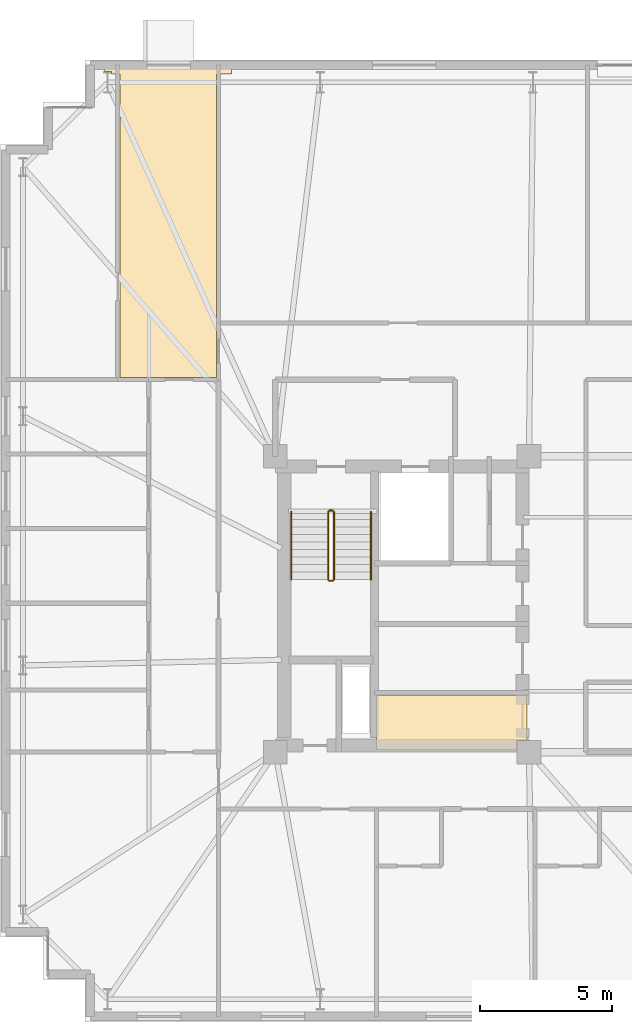
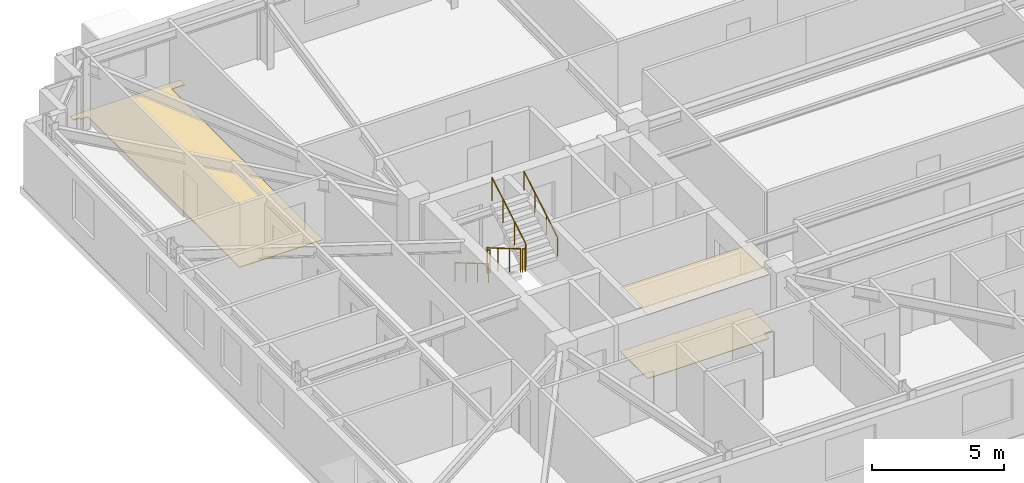
# One storey, part 17 of 18: 6 railings, 3 coverings.
"""IFC4 building model written with IfcOpenShell, lengths in metres."""

from ifc_helpers import new_model, si_unit, direction, frame, origin, origin_2d, place, context, subcontext, project, spatial, polyline, circle, outline, extrude, material, layer, layer_set, type_object, element, save


model = new_model("IFC4")

# Units and contexts
model_context = context("Model", 3, precision=1e-05, world=origin(), true_north=direction((0.0, 1.0)))
body_context = subcontext(model_context, "Body", "Model", "MODEL_VIEW")
ifc_project = project(units=[si_unit("LENGTHUNIT", "METRE"), si_unit("AREAUNIT", "SQUARE_METRE"), si_unit("VOLUMEUNIT", "CUBIC_METRE"), si_unit("PLANEANGLEUNIT", "RADIAN"), si_unit("MASSUNIT", "GRAM", prefix="KILO")], contexts=[model_context])

# Site, building, storey
site_placement = place(None, origin())
site = spatial("IfcSite", under=ifc_project, at=site_placement, CompositionType="ELEMENT")
building_placement = place(site_placement, origin())
building = spatial("IfcBuilding", under=site, at=building_placement, Name="Qobustan Lattice House", CompositionType="ELEMENT")
storey_placement = place(building_placement, frame((0.0, 0.0, 151.10009765625)))
storey = spatial("IfcBuildingStorey", under=building, at=storey_placement, Name="L42", CompositionType="ELEMENT", Elevation=151.10009765625)

# Coverings
ifc_material_1 = material(Name="Perforated gypsum acoustic ceiling", Category="gypsum")
ifc_layer_1 = layer(ifc_material_1, 0.030029296875)
ifc_layer_set_1 = layer_set([ifc_layer_1], Name="Perforated gypsum acoustic ceiling")
covering_type_1 = type_object("IfcCoveringType", Name="COV-ACOUSTIC-CEIL", PredefinedType="CEILING", material=ifc_layer_set_1)
covering_1_placement = place(storey_placement, frame((0.0, 0.0, 2.949951171875)))
element("IfcCovering", 1, at=covering_1_placement, inside=storey, type_object=covering_type_1, Name="L42 Collaborative study lounge acoustic ceiling", PredefinedType="CEILING", context=body_context, shape_type="SweptSolid", body=[
    extrude(outline(polyline([(-9.280029296875, -3.429931640625), (-14.969970703125, -3.429931640625), (-14.969970703125, -5.52001953125), (-9.652099609375, -5.52001953125), (-9.652099609375, -5.14794921875), (-9.280029296875, -5.14794921875), (-9.280029296875, -3.429931640625)])), origin(), (0.0, 0.0, 1.0), 0.030029296875),
])
ifc_material_2 = material(Name="Honed Absheron stone terrazzo flooring", Category="masonry")
ifc_layer_2 = layer(ifc_material_2, 0.02490234375)
ifc_layer_set_2 = layer_set([ifc_layer_2], Name="Honed Absheron stone terrazzo flooring")
covering_type_2 = type_object("IfcCoveringType", Name="COV-TERRAZZO-FLR", PredefinedType="FLOORING", material=ifc_layer_set_2)
covering_2_placement = place(storey_placement, origin())
element("IfcCovering", 2, at=covering_2_placement, inside=storey, type_object=covering_type_2, Name="L42 Collaborative study lounge stone terrazzo flooring", PredefinedType="FLOORING", context=body_context, shape_type="SweptSolid", body=[
    extrude(outline(polyline([(-9.280029296875, -3.429931640625), (-14.969970703125, -3.429931640625), (-14.969970703125, -5.52001953125), (-9.652099609375, -5.52001953125), (-9.652099609375, -5.14794921875), (-9.280029296875, -5.14794921875), (-9.280029296875, -3.429931640625)])), origin(), (0.0, 0.0, 1.0), 0.02490234375),
])
covering_3_placement = place(storey_placement, origin())
element("IfcCovering", 3, at=covering_3_placement, inside=storey, type_object=covering_type_2, Name="L42 Reading seminar room L42WN stone terrazzo flooring", PredefinedType="FLOORING", context=body_context, shape_type="SweptSolid", body=[
    extrude(outline(polyline([(-25.264892578125, 20.429931640625), (-25.264892578125, 20.152099609375), (-24.998046875, 20.152099609375), (-24.998046875, 20.06005859375), (-24.68505859375, 20.06005859375), (-24.68505859375, 8.580078125), (-21.030029296875, 8.580078125), (-21.030029296875, 20.06005859375), (-20.449951171875, 20.06005859375), (-20.449951171875, 20.429931640625), (-25.264892578125, 20.429931640625)])), origin(), (0.0, 0.0, 1.0), 0.02490234375),
])

# Railings
ifc_material_3 = material(Name="Brushed stainless steel handrail", Category="steel")
railing_type_1 = type_object("IfcRailingType", Name="RAL-HR-920", PredefinedType="HANDRAIL", material=ifc_material_3)
railing_1_placement = place(storey_placement, frame((-18.199951171875, 3.5, 0.16748046875)))
element("IfcRailing", 4, at=railing_1_placement, inside=storey, type_object=railing_type_1, Name="L42 ST-W1 stair handrail 1", PredefinedType="HANDRAIL", context=body_context, shape_type="SweptSolid", body=[
    extrude(circle(Radius=0.02392578125, at=origin_2d()), frame((0.0, 0.0, 0.8759765625), z_axis=(0.0, -0.862149314443, 0.506654280161), x_axis=(1.0, 0.0, 0.0)), (0.0, 0.0, 1.0), 2.97509765625),
    extrude(circle(Radius=0.02099609375, at=origin_2d()), origin(), (0.0, 0.0, 1.0), 0.851806640625),
    extrude(circle(Radius=0.02099609375, at=origin_2d()), frame((0.0, -0.85498046875, 0.50244140625)), (0.0, 0.0, 1.0), 0.851806640625),
    extrude(circle(Radius=0.02099609375, at=origin_2d()), frame((0.0, -1.7099609375, 1.0048828125)), (0.0, 0.0, 1.0), 0.851806640625),
    extrude(circle(Radius=0.02099609375, at=origin_2d()), frame((0.0, -2.56494140625, 1.50732421875)), (0.0, 0.0, 1.0), 0.851806640625),
])
railing_2_placement = place(storey_placement, frame((-15.179931640625, 0.93505859375, 1.84228515625)))
element("IfcRailing", 5, at=railing_2_placement, inside=storey, type_object=railing_type_1, Name="L42 ST-W1 stair handrail 2", PredefinedType="HANDRAIL", context=body_context, shape_type="SweptSolid", body=[
    extrude(circle(Radius=0.02392578125, at=origin_2d()), frame((0.0, 0.0, 0.8759765625), z_axis=(0.0, 0.862113467892, 0.50671527358), x_axis=(-1.0, 0.0, 0.0)), (0.0, 0.0, 1.0), 2.97509765625),
    extrude(circle(Radius=0.02099609375, at=origin_2d()), origin(), (0.0, 0.0, 1.0), 0.851806640625),
    extrude(circle(Radius=0.02099609375, at=origin_2d()), frame((0.0, 0.85498046875, 0.50244140625)), (0.0, 0.0, 1.0), 0.851806640625),
    extrude(circle(Radius=0.02099609375, at=origin_2d()), frame((0.0, 1.7099609375, 1.005126953125)), (0.0, 0.0, 1.0), 0.851806640625),
    extrude(circle(Radius=0.02099609375, at=origin_2d()), frame((0.0, 2.56494140625, 1.507568359375)), (0.0, 0.0, 1.0), 0.851806640625),
])
ifc_material_4 = material(Name="Painted galvanized steel guardrail", Category="steel")
railing_type_2 = type_object("IfcRailingType", Name="RAL-STG-1150", PredefinedType="GUARDRAIL", material=ifc_material_4)
railing_3_placement = place(storey_placement, frame((-16.800048828125, 3.5, 0.16748046875)))
element("IfcRailing", 6, at=railing_3_placement, inside=storey, type_object=railing_type_2, Name="L42 ST-W1 stair guard 1", PredefinedType="GUARDRAIL", context=body_context, shape_type="SweptSolid", body=[
    extrude(circle(Radius=0.02392578125, at=origin_2d()), frame((0.0, 0.0, 1.076171875), z_axis=(0.0, -0.862149314443, 0.506654280161), x_axis=(1.0, 0.0, 0.0)), (0.0, 0.0, 1.0), 2.97509765625),
    extrude(circle(Radius=0.02099609375, at=origin_2d()), origin(), (0.0, 0.0, 1.0), 1.052001953125),
    extrude(circle(Radius=0.02099609375, at=origin_2d()), frame((0.0, -0.85498046875, 0.50244140625)), (0.0, 0.0, 1.0), 1.052001953125),
    extrude(circle(Radius=0.02099609375, at=origin_2d()), frame((0.0, -1.7099609375, 1.0048828125)), (0.0, 0.0, 1.0), 1.052001953125),
    extrude(circle(Radius=0.02099609375, at=origin_2d()), frame((0.0, -2.56494140625, 1.50732421875)), (0.0, 0.0, 1.0), 1.052001953125),
])
railing_4_placement = place(storey_placement, frame((-16.75, 0.885009765625, 1.6748046875)))
element("IfcRailing", 7, at=railing_4_placement, inside=storey, type_object=railing_type_2, Name="L42 ST-W1 stair guard 2", PredefinedType="GUARDRAIL", context=body_context, shape_type="SweptSolid", body=[
    extrude(circle(Radius=0.02392578125, at=origin_2d()), frame((0.0, 0.0, 1.076171875), z_axis=(1.0, 0.0, 0.0), x_axis=(0.0, 1.0, 0.0)), (0.0, 0.0, 1.0), 0.1201171875),
    extrude(circle(Radius=0.02099609375, at=origin_2d()), origin(), (0.0, 0.0, 1.0), 1.052001953125),
    extrude(circle(Radius=0.02099609375, at=origin_2d()), frame((0.1201171875, 0.0, 0.0)), (0.0, 0.0, 1.0), 1.052001953125),
])
railing_5_placement = place(storey_placement, frame((-16.580078125, 0.93505859375, 1.84228515625)))
element("IfcRailing", 8, at=railing_5_placement, inside=storey, type_object=railing_type_2, Name="L42 ST-W1 stair guard 3", PredefinedType="GUARDRAIL", context=body_context, shape_type="SweptSolid", body=[
    extrude(circle(Radius=0.02392578125, at=origin_2d()), frame((0.0, 0.0, 1.076171875), z_axis=(0.0, 0.862113467892, 0.50671527358), x_axis=(-1.0, 0.0, 0.0)), (0.0, 0.0, 1.0), 2.97509765625),
    extrude(circle(Radius=0.02099609375, at=origin_2d()), origin(), (0.0, 0.0, 1.0), 1.052001953125),
    extrude(circle(Radius=0.02099609375, at=origin_2d()), frame((0.0, 0.85498046875, 0.50244140625)), (0.0, 0.0, 1.0), 1.052001953125),
    extrude(circle(Radius=0.02099609375, at=origin_2d()), frame((0.0, 1.7099609375, 1.005126953125)), (0.0, 0.0, 1.0), 1.052001953125),
    extrude(circle(Radius=0.02099609375, at=origin_2d()), frame((0.0, 2.56494140625, 1.507568359375)), (0.0, 0.0, 1.0), 1.052001953125),
])
railing_6_placement = place(storey_placement, frame((-16.75, 3.550048828125, 0.0)))
element("IfcRailing", 9, at=railing_6_placement, inside=storey, type_object=railing_type_2, Name="L42 ST-W1 stair guard 4", PredefinedType="GUARDRAIL", context=body_context, shape_type="SweptSolid", body=[
    extrude(circle(Radius=0.02392578125, at=origin_2d()), frame((0.0, 0.0, 1.076171875), z_axis=(1.0, 0.0, 0.0), x_axis=(0.0, 1.0, 0.0)), (0.0, 0.0, 1.0), 0.1201171875),
    extrude(circle(Radius=0.02099609375, at=origin_2d()), origin(), (0.0, 0.0, 1.0), 1.052001953125),
    extrude(circle(Radius=0.02099609375, at=origin_2d()), frame((0.1201171875, 0.0, 0.0)), (0.0, 0.0, 1.0), 1.052001953125),
])

save(model, "model.ifc")
